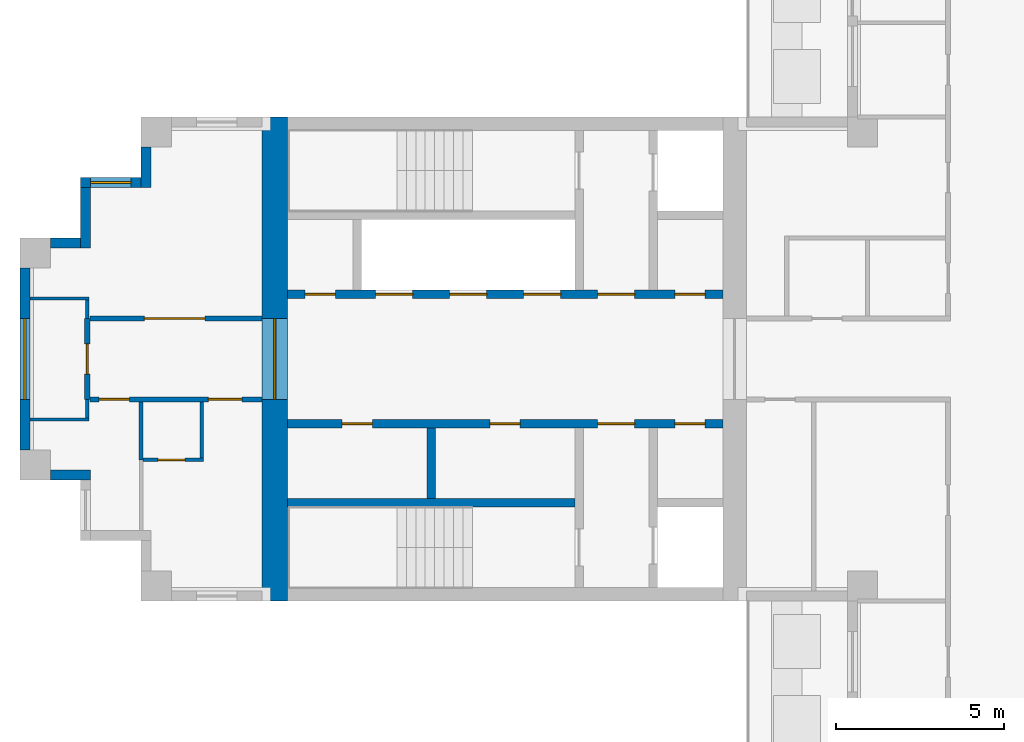
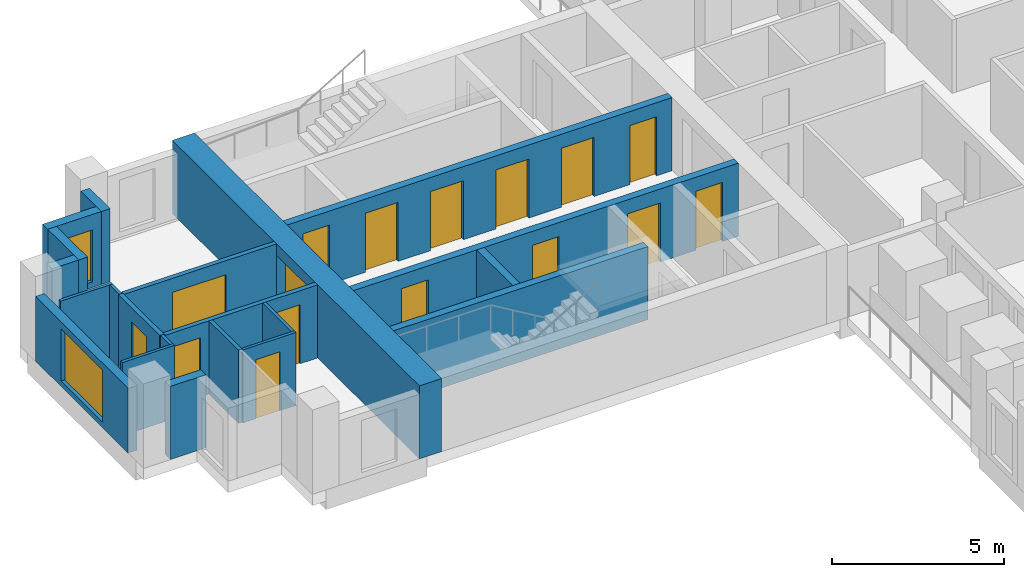
# One storey, part 3 of 10: 21 walls, 16 doors, 2 windows, 18 openings.
"""IFC4 building model written with IfcOpenShell, lengths in metres."""

from ifc_helpers import new_model, si_unit, direction, frame, frame_2d, origin, place, context, subcontext, project, spatial, rectangle, extrude, material, layer, layer_set, type_object, element, fill, save


model = new_model("IFC4")

# Units and contexts
model_context = context("Model", 3, precision=1e-05, world=origin(), true_north=direction((0.0, 1.0)))
body_context = subcontext(model_context, "Body", "Model", "MODEL_VIEW")
ifc_project = project(units=[si_unit("LENGTHUNIT", "METRE"), si_unit("AREAUNIT", "SQUARE_METRE"), si_unit("VOLUMEUNIT", "CUBIC_METRE"), si_unit("PLANEANGLEUNIT", "RADIAN"), si_unit("MASSUNIT", "GRAM", prefix="KILO")], contexts=[model_context])

# Site, building, storey
site_placement = place(None, origin())
site = spatial("IfcSite", under=ifc_project, at=site_placement, CompositionType="ELEMENT")
building_placement = place(site_placement, origin())
building = spatial("IfcBuilding", under=site, at=building_placement, Name="Fustian Cross Tower", CompositionType="ELEMENT")
storey_placement = place(building_placement, frame((0.0, 0.0, 225.89990234375)))
storey = spatial("IfcBuildingStorey", under=building, at=storey_placement, Name="L71", CompositionType="ELEMENT", Elevation=225.89990234375)

# Wall, opening, door
ifc_material_1 = material(Name="Plasterboard on steel stud", Category="steel")
ifc_layer_1 = layer(ifc_material_1, 0.14990234375)
ifc_layer_set_1 = layer_set([ifc_layer_1], Name="Plasterboard on steel stud")
wall_type_1 = type_object("IfcWallType", Name="COMPARTMENT WALL 150 EI 60", PredefinedType="PARTITIONING", material=ifc_layer_set_1)
wall_1_placement = place(storey_placement, frame((-26.800048828125, -1.199951171875, 0.0), z_axis=(0.0, 0.0, 1.0), x_axis=(0.0, 1.0, 0.0)))
wall_1 = element("IfcWall", 1, at=wall_1_placement, inside=storey, type_object=wall_type_1, Name="Partition 4", PredefinedType="PARTITIONING", context=body_context, shape_type="SweptSolid", body=[
    extrude(rectangle(XDim=2.39990234375, YDim=0.14990234375, at=frame_2d((1.199951171875, 0.0))), origin(), (0.0, 0.0, 1.0), 2.60009765625),
])
opening_1_placement = place(wall_1_placement, frame((0.75, 0.0, 0.0)))
opening_1 = element("IfcOpeningElement", 2, at=opening_1_placement, cuts=wall_1, Name="Opening D32024", PredefinedType="OPENING", context=body_context, shape_type="SweptSolid", body=[
    extrude(rectangle(XDim=0.89990234375, YDim=2.10009765625, at=frame_2d((0.449951171875, 1.050048828125))), frame((0.0, 0.0849609375, 0.0), z_axis=(0.0, -1.0, 0.0), x_axis=(1.0, 0.0, 0.0)), (0.0, 0.0, 1.0), 0.169921875),
])
ifc_material_2 = material(Name="Timber fire door set", Category="wood")
door_type_1 = type_object("IfcDoorType", Name="FIRE SWING DOOR 900 FD30S", OperationType="SINGLE_SWING_LEFT", PredefinedType="DOOR", material=ifc_material_2)
door_1_placement = place(opening_1_placement, origin())
door_1 = element("IfcDoor", 3, at=door_1_placement, inside=storey, type_object=door_type_1, Name="Door D32024", OperationType="SINGLE_SWING_LEFT", OverallHeight=2.10009765625, OverallWidth=0.89990234375, PredefinedType="DOOR", context=body_context, shape_type="SweptSolid", body=[
    extrude(rectangle(XDim=0.89990234375, YDim=2.10009765625, at=frame_2d((0.449951171875, 1.050048828125))), frame((0.0, 0.02490234375, 0.0), z_axis=(0.0, -1.0, 0.0), x_axis=(1.0, 0.0, 0.0)), (0.0, 0.0, 1.0), 0.050048828125),
])
fill(opening_1, door_1)

# Wall, openings, doors
wall_2_placement = place(storey_placement, frame((-26.72509765625, -1.199951171875, 0.0), z_axis=(0.0, 0.0, 1.0), x_axis=(1.0, 0.0, 0.0)))
wall_2 = element("IfcWall", 4, at=wall_2_placement, inside=storey, type_object=wall_type_1, Name="Partition 5", PredefinedType="PARTITIONING", context=body_context, shape_type="SweptSolid", body=[
    extrude(rectangle(XDim=5.125, YDim=0.14990234375, at=frame_2d((2.5625, 0.0))), origin(), (0.0, 0.0, 1.0), 2.60009765625),
])
opening_2_placement = place(wall_2_placement, frame((3.52490234375, 0.0, 0.0)))
opening_2 = element("IfcOpeningElement", 5, at=opening_2_placement, cuts=wall_2, Name="Opening D32026", PredefinedType="OPENING", context=body_context, shape_type="SweptSolid", body=[
    extrude(rectangle(XDim=1.0, YDim=2.10009765625, at=frame_2d((0.5, 1.050048828125))), frame((0.0, 0.0849609375, 0.0), z_axis=(0.0, -1.0, 0.0), x_axis=(1.0, 0.0, 0.0)), (0.0, 0.0, 1.0), 0.169921875),
])
opening_3_placement = place(wall_2_placement, frame((0.27490234375, 0.0, 0.0)))
opening_3 = element("IfcOpeningElement", 6, at=opening_3_placement, cuts=wall_2, Name="Opening D32027", PredefinedType="OPENING", context=body_context, shape_type="SweptSolid", body=[
    extrude(rectangle(XDim=0.89990234375, YDim=2.10009765625, at=frame_2d((0.449951171875, 1.050048828125))), frame((0.0, 0.0849609375, 0.0), z_axis=(0.0, -1.0, 0.0), x_axis=(1.0, 0.0, 0.0)), (0.0, 0.0, 1.0), 0.169921875),
])
ifc_material_3 = material(Name="Timber fire door set", Category="wood")
door_type_2 = type_object("IfcDoorType", Name="FIRE SWING DOOR 1000 FD30S", OperationType="SINGLE_SWING_LEFT", PredefinedType="DOOR", material=ifc_material_3)
door_2_placement = place(opening_2_placement, frame((1.0, 0.0, 0.0), z_axis=(0.0, 0.0, 1.0), x_axis=(-1.0, 0.0, 0.0)))
door_2 = element("IfcDoor", 7, at=door_2_placement, inside=storey, type_object=door_type_2, Name="Door D32026", OperationType="SINGLE_SWING_RIGHT", OverallHeight=2.10009765625, OverallWidth=1.0, PredefinedType="DOOR", context=body_context, shape_type="SweptSolid", body=[
    extrude(rectangle(XDim=1.0, YDim=2.10009765625, at=frame_2d((0.5, 1.050048828125))), frame((0.0, 0.02490234375, 0.0), z_axis=(0.0, -1.0, 0.0), x_axis=(1.0, 0.0, 0.0)), (0.0, 0.0, 1.0), 0.050048828125),
])
fill(opening_2, door_2)
door_3_placement = place(opening_3_placement, frame((0.89990234375, 0.0, 0.0), z_axis=(0.0, 0.0, 1.0), x_axis=(-1.0, 0.0, 0.0)))
door_3 = element("IfcDoor", 8, at=door_3_placement, inside=storey, type_object=door_type_1, Name="Door D32027", OperationType="SINGLE_SWING_RIGHT", OverallHeight=2.10009765625, OverallWidth=0.89990234375, PredefinedType="DOOR", context=body_context, shape_type="SweptSolid", body=[
    extrude(rectangle(XDim=0.89990234375, YDim=2.10009765625, at=frame_2d((0.449951171875, 1.050048828125))), frame((0.0, 0.02490234375, 0.0), z_axis=(0.0, -1.0, 0.0), x_axis=(1.0, 0.0, 0.0)), (0.0, 0.0, 1.0), 0.050048828125),
])
fill(opening_3, door_3)

# Wall, opening, door
wall_3_placement = place(storey_placement, frame((-26.72509765625, 1.199951171875, 0.0), z_axis=(0.0, 0.0, 1.0), x_axis=(1.0, 0.0, 0.0)))
wall_3 = element("IfcWall", 9, at=wall_3_placement, inside=storey, type_object=wall_type_1, Name="Partition 7", PredefinedType="PARTITIONING", context=body_context, shape_type="SweptSolid", body=[
    extrude(rectangle(XDim=5.125, YDim=0.14990234375, at=frame_2d((2.5625, 0.0))), origin(), (0.0, 0.0, 1.0), 2.60009765625),
])
opening_4_placement = place(wall_3_placement, frame((1.625, 0.0, 0.0)))
opening_4 = element("IfcOpeningElement", 10, at=opening_4_placement, cuts=wall_3, Name="Opening D32028", PredefinedType="OPENING", context=body_context, shape_type="SweptSolid", body=[
    extrude(rectangle(XDim=1.800048828125, YDim=2.10009765625, at=frame_2d((0.89990234375, 1.050048828125))), frame((0.0, 0.0849609375, 0.0), z_axis=(0.0, -1.0, 0.0), x_axis=(1.0, 0.0, 0.0)), (0.0, 0.0, 1.0), 0.169921875),
])
ifc_material_4 = material(Name="Timber fire door set", Category="wood")
door_type_3 = type_object("IfcDoorType", Name="FIRE DOUBLE DOOR 1800 FD30S", OperationType="DOUBLE_DOOR_DOUBLE_SWING", PredefinedType="DOOR", material=ifc_material_4)
door_4_placement = place(opening_4_placement, frame((1.800048828125, 0.0, 0.0), z_axis=(0.0, 0.0, 1.0), x_axis=(-1.0, 0.0, 0.0)))
door_4 = element("IfcDoor", 11, at=door_4_placement, inside=storey, type_object=door_type_3, Name="Door D32028", OperationType="DOUBLE_DOOR_DOUBLE_SWING", OverallHeight=2.10009765625, OverallWidth=1.800048828125, PredefinedType="DOOR", context=body_context, shape_type="SweptSolid", body=[
    extrude(rectangle(XDim=1.800048828125, YDim=2.10009765625, at=frame_2d((0.89990234375, 1.050048828125))), frame((0.0, 0.02490234375, 0.0), z_axis=(0.0, -1.0, 0.0), x_axis=(1.0, 0.0, 0.0)), (0.0, 0.0, 1.0), 0.050048828125),
])
fill(opening_4, door_4)

ifc_material_5 = material(Name="Concrete C50/60", Category="concrete")
ifc_layer_2 = layer(ifc_material_5, 0.75)
ifc_layer_set_2 = layer_set([ifc_layer_2], Name="Concrete C50/60")
wall_type_2 = type_object("IfcWallType", Name="CORE END WALL 750 C50/60", PredefinedType="SHEAR", material=ifc_layer_set_2)
wall_4_placement = place(storey_placement, frame((-21.22509765625, -7.199951171875, 0.0), z_axis=(0.0, 0.0, 1.0), x_axis=(0.0, 1.0, 0.0)))
wall_4 = element("IfcWall", 12, at=wall_4_placement, inside=storey, type_object=wall_type_2, Name="Core end wall", PredefinedType="SHEAR", context=body_context, shape_type="SweptSolid", body=[
    extrude(rectangle(XDim=14.39990234375, YDim=0.75, at=frame_2d((7.199951171875, 0.0))), origin(), (0.0, 0.0, 1.0), 2.60009765625),
])
opening_5_placement = place(wall_4_placement, frame((6.0, 0.0, 0.0)))
opening_5 = element("IfcOpeningElement", 13, at=opening_5_placement, cuts=wall_4, Name="Opening CD-27-29", PredefinedType="OPENING", context=body_context, shape_type="SweptSolid", body=[
    extrude(rectangle(XDim=2.39990234375, YDim=2.199951171875, at=frame_2d((1.199951171875, 1.10009765625))), frame((0.0, 0.385009765625, 0.0), z_axis=(0.0, -1.0, 0.0), x_axis=(1.0, 0.0, 0.0)), (0.0, 0.0, 1.0), 0.77001953125),
])
ifc_material_6 = material(Name="Steel", Category="steel")
door_type_4 = type_object("IfcDoorType", Name="FIRE DOOR FD30S DOUBLE 2400X2200", OperationType="DOUBLE_DOOR_DOUBLE_SWING", PredefinedType="DOOR", material=ifc_material_6)
door_5_placement = place(opening_5_placement, frame((2.39990234375, 0.0, 0.0), z_axis=(0.0, 0.0, 1.0), x_axis=(-1.0, 0.0, 0.0)))
door_5 = element("IfcDoor", 14, at=door_5_placement, inside=storey, type_object=door_type_4, Name="Core door CD-27-29", OperationType="DOUBLE_DOOR_DOUBLE_SWING", OverallHeight=2.199951171875, OverallWidth=2.39990234375, PredefinedType="DOOR", context=body_context, shape_type="SweptSolid", body=[
    extrude(rectangle(XDim=2.39990234375, YDim=2.199951171875, at=frame_2d((1.199951171875, 1.10009765625))), frame((0.0, 0.02490234375, 0.0), z_axis=(0.0, -1.0, 0.0), x_axis=(1.0, 0.0, 0.0)), (0.0, 0.0, 1.0), 0.050048828125),
])
fill(opening_5, door_5)

# Wall, openings, doors
ifc_material_7 = material(Name="Concrete C50/60", Category="concrete")
ifc_layer_3 = layer(ifc_material_7, 0.25)
ifc_layer_set_3 = layer_set([ifc_layer_3], Name="Concrete C50/60")
wall_type_3 = type_object("IfcWallType", Name="CORE LOBBY WALL 250 C50/60", PredefinedType="SHEAR", material=ifc_layer_set_3)
wall_5_placement = place(storey_placement, frame((-7.89990234375, 1.925048828125, 0.0), z_axis=(0.0, 0.0, 1.0), x_axis=(-1.0, 0.0, 0.0)))
wall_5 = element("IfcWall", 15, at=wall_5_placement, inside=storey, type_object=wall_type_3, Name="Core lobby wall", PredefinedType="SHEAR", context=body_context, shape_type="SweptSolid", body=[
    extrude(rectangle(XDim=12.9501953125, YDim=0.25, at=frame_2d((6.47509765625, 0.0))), origin(), (0.0, 0.0, 1.0), 2.60009765625),
])
opening_6_placement = place(wall_5_placement, frame((4.824951171875, 0.0, 0.0)))
opening_6 = element("IfcOpeningElement", 16, at=opening_6_placement, cuts=wall_5, Name="Opening LD", PredefinedType="OPENING", context=body_context, shape_type="SweptSolid", body=[
    extrude(rectangle(XDim=1.10009765625, YDim=2.10009765625, at=frame_2d((0.550048828125, 1.050048828125))), frame((0.0, 0.135009765625, 0.0), z_axis=(0.0, -1.0, 0.0), x_axis=(1.0, 0.0, 0.0)), (0.0, 0.0, 1.0), 0.27001953125),
])
opening_7_placement = place(wall_5_placement, frame((7.02490234375, 0.0, 0.0)))
opening_7 = element("IfcOpeningElement", 17, at=opening_7_placement, cuts=wall_5, Name="Opening LD", PredefinedType="OPENING", context=body_context, shape_type="SweptSolid", body=[
    extrude(rectangle(XDim=1.10009765625, YDim=2.10009765625, at=frame_2d((0.550048828125, 1.050048828125))), frame((0.0, 0.135009765625, 0.0), z_axis=(0.0, -1.0, 0.0), x_axis=(1.0, 0.0, 0.0)), (0.0, 0.0, 1.0), 0.27001953125),
])
opening_8_placement = place(wall_5_placement, frame((9.22509765625, 0.0, 0.0)))
opening_8 = element("IfcOpeningElement", 18, at=opening_8_placement, cuts=wall_5, Name="Opening LD", PredefinedType="OPENING", context=body_context, shape_type="SweptSolid", body=[
    extrude(rectangle(XDim=1.10009765625, YDim=2.10009765625, at=frame_2d((0.550048828125, 1.050048828125))), frame((0.0, 0.135009765625, 0.0), z_axis=(0.0, -1.0, 0.0), x_axis=(1.0, 0.0, 0.0)), (0.0, 0.0, 1.0), 0.27001953125),
])
opening_9_placement = place(wall_5_placement, frame((0.52490234375, 0.0, 0.0)))
opening_9 = element("IfcOpeningElement", 19, at=opening_9_placement, cuts=wall_5, Name="Opening CD-27-24", PredefinedType="OPENING", context=body_context, shape_type="SweptSolid", body=[
    extrude(rectangle(XDim=0.89990234375, YDim=2.10009765625, at=frame_2d((0.449951171875, 1.050048828125))), frame((0.0, 0.135009765625, 0.0), z_axis=(0.0, -1.0, 0.0), x_axis=(1.0, 0.0, 0.0)), (0.0, 0.0, 1.0), 0.27001953125),
])
opening_10_placement = place(wall_5_placement, frame((2.625, 0.0, 0.0)))
opening_10 = element("IfcOpeningElement", 20, at=opening_10_placement, cuts=wall_5, Name="Opening CD-27-26", PredefinedType="OPENING", context=body_context, shape_type="SweptSolid", body=[
    extrude(rectangle(XDim=1.10009765625, YDim=2.10009765625, at=frame_2d((0.550048828125, 1.050048828125))), frame((0.0, 0.135009765625, 0.0), z_axis=(0.0, -1.0, 0.0), x_axis=(1.0, 0.0, 0.0)), (0.0, 0.0, 1.0), 0.27001953125),
])
opening_11_placement = place(wall_5_placement, frame((11.52490234375, 0.0, 0.0)))
opening_11 = element("IfcOpeningElement", 21, at=opening_11_placement, cuts=wall_5, Name="Opening CD-27-30", PredefinedType="OPENING", context=body_context, shape_type="SweptSolid", body=[
    extrude(rectangle(XDim=0.89990234375, YDim=2.10009765625, at=frame_2d((0.449951171875, 1.050048828125))), frame((0.0, 0.135009765625, 0.0), z_axis=(0.0, -1.0, 0.0), x_axis=(1.0, 0.0, 0.0)), (0.0, 0.0, 1.0), 0.27001953125),
])
ifc_material_8 = material(Name="Steel", Category="steel")
door_type_5 = type_object("IfcDoorType", Name="FIRE DOOR FD30S 900X2100", OperationType="SINGLE_SWING_LEFT", PredefinedType="DOOR", material=ifc_material_8)
door_6_placement = place(opening_11_placement, frame((0.89990234375, 0.0, 0.0), z_axis=(0.0, 0.0, 1.0), x_axis=(-1.0, 0.0, 0.0)))
door_6 = element("IfcDoor", 22, at=door_6_placement, inside=storey, type_object=door_type_5, Name="Core door CD-27-30", OperationType="SINGLE_SWING_RIGHT", OverallHeight=2.10009765625, OverallWidth=0.89990234375, PredefinedType="DOOR", context=body_context, shape_type="SweptSolid", body=[
    extrude(rectangle(XDim=0.89990234375, YDim=2.10009765625, at=frame_2d((0.449951171875, 1.050048828125))), frame((0.0, 0.02490234375, 0.0), z_axis=(0.0, -1.0, 0.0), x_axis=(1.0, 0.0, 0.0)), (0.0, 0.0, 1.0), 0.050048828125),
])
fill(opening_11, door_6)
ifc_material_9 = material(Name="Steel", Category="steel")
door_type_6 = type_object("IfcDoorType", Name="FIRE DOOR FD60S 1100X2100", OperationType="SINGLE_SWING_LEFT", PredefinedType="DOOR", material=ifc_material_9)
door_7_placement = place(opening_10_placement, frame((1.10009765625, 0.0, 0.0), z_axis=(0.0, 0.0, 1.0), x_axis=(-1.0, 0.0, 0.0)))
door_7 = element("IfcDoor", 23, at=door_7_placement, inside=storey, type_object=door_type_6, Name="Core door CD-27-26", OperationType="SINGLE_SWING_RIGHT", OverallHeight=2.10009765625, OverallWidth=1.10009765625, PredefinedType="DOOR", context=body_context, shape_type="SweptSolid", body=[
    extrude(rectangle(XDim=1.10009765625, YDim=2.10009765625, at=frame_2d((0.550048828125, 1.050048828125))), frame((0.0, 0.02490234375, 0.0), z_axis=(0.0, -1.0, 0.0), x_axis=(1.0, 0.0, 0.0)), (0.0, 0.0, 1.0), 0.050048828125),
])
fill(opening_10, door_7)
ifc_material_10 = material(Name="Steel", Category="steel")
door_type_7 = type_object("IfcDoorType", Name="FIRE DOOR FD60S 900X2100", OperationType="SINGLE_SWING_LEFT", PredefinedType="DOOR", material=ifc_material_10)
door_8_placement = place(opening_9_placement, frame((0.89990234375, 0.0, 0.0), z_axis=(0.0, 0.0, 1.0), x_axis=(-1.0, 0.0, 0.0)))
door_8 = element("IfcDoor", 24, at=door_8_placement, inside=storey, type_object=door_type_7, Name="Core door CD-27-24", OperationType="SINGLE_SWING_RIGHT", OverallHeight=2.10009765625, OverallWidth=0.89990234375, PredefinedType="DOOR", context=body_context, shape_type="SweptSolid", body=[
    extrude(rectangle(XDim=0.89990234375, YDim=2.10009765625, at=frame_2d((0.449951171875, 1.050048828125))), frame((0.0, 0.02490234375, 0.0), z_axis=(0.0, -1.0, 0.0), x_axis=(1.0, 0.0, 0.0)), (0.0, 0.0, 1.0), 0.050048828125),
])
fill(opening_9, door_8)
ifc_material_11 = material(Name="Stainless steel", Category="steel")
door_type_8 = type_object("IfcDoorType", Name="LIFT LANDING DOOR 1100X2100", OperationType="SLIDING_TO_LEFT", PredefinedType="DOOR", material=ifc_material_11)
door_9_placement = place(opening_6_placement, origin())
door_9 = element("IfcDoor", 25, at=door_9_placement, inside=storey, type_object=door_type_8, Name="Landing door HR1W", OperationType="SLIDING_TO_LEFT", OverallHeight=2.10009765625, OverallWidth=1.10009765625, PredefinedType="DOOR", context=body_context, shape_type="SweptSolid", body=[
    extrude(rectangle(XDim=1.10009765625, YDim=2.10009765625, at=frame_2d((0.550048828125, 1.050048828125))), frame((0.0, 0.02490234375, 0.0), z_axis=(0.0, -1.0, 0.0), x_axis=(1.0, 0.0, 0.0)), (0.0, 0.0, 1.0), 0.050048828125),
])
fill(opening_6, door_9)
door_10_placement = place(opening_7_placement, origin())
door_10 = element("IfcDoor", 26, at=door_10_placement, inside=storey, type_object=door_type_8, Name="Landing door HR2W", OperationType="SLIDING_TO_LEFT", OverallHeight=2.10009765625, OverallWidth=1.10009765625, PredefinedType="DOOR", context=body_context, shape_type="SweptSolid", body=[
    extrude(rectangle(XDim=1.10009765625, YDim=2.10009765625, at=frame_2d((0.550048828125, 1.050048828125))), frame((0.0, 0.02490234375, 0.0), z_axis=(0.0, -1.0, 0.0), x_axis=(1.0, 0.0, 0.0)), (0.0, 0.0, 1.0), 0.050048828125),
])
fill(opening_7, door_10)
door_11_placement = place(opening_8_placement, origin())
door_11 = element("IfcDoor", 27, at=door_11_placement, inside=storey, type_object=door_type_8, Name="Landing door HR3W", OperationType="SLIDING_TO_LEFT", OverallHeight=2.10009765625, OverallWidth=1.10009765625, PredefinedType="DOOR", context=body_context, shape_type="SweptSolid", body=[
    extrude(rectangle(XDim=1.10009765625, YDim=2.10009765625, at=frame_2d((0.550048828125, 1.050048828125))), frame((0.0, 0.02490234375, 0.0), z_axis=(0.0, -1.0, 0.0), x_axis=(1.0, 0.0, 0.0)), (0.0, 0.0, 1.0), 0.050048828125),
])
fill(opening_8, door_11)

wall_6_placement = place(storey_placement, frame((-7.89990234375, -1.925048828125, 0.0), z_axis=(0.0, 0.0, 1.0), x_axis=(-1.0, 0.0, 0.0)))
wall_6 = element("IfcWall", 28, at=wall_6_placement, inside=storey, type_object=wall_type_3, Name="Core lobby wall", PredefinedType="SHEAR", context=body_context, shape_type="SweptSolid", body=[
    extrude(rectangle(XDim=12.9501953125, YDim=0.25, at=frame_2d((6.47509765625, 0.0))), origin(), (0.0, 0.0, 1.0), 2.60009765625),
])
opening_12_placement = place(wall_6_placement, frame((0.52490234375, 0.0, 0.0)))
opening_12 = element("IfcOpeningElement", 29, at=opening_12_placement, cuts=wall_6, Name="Opening CD-27-25", PredefinedType="OPENING", context=body_context, shape_type="SweptSolid", body=[
    extrude(rectangle(XDim=0.89990234375, YDim=2.10009765625, at=frame_2d((0.449951171875, 1.050048828125))), frame((0.0, 0.135009765625, 0.0), z_axis=(0.0, -1.0, 0.0), x_axis=(1.0, 0.0, 0.0)), (0.0, 0.0, 1.0), 0.27001953125),
])
opening_13_placement = place(wall_6_placement, frame((2.625, 0.0, 0.0)))
opening_13 = element("IfcOpeningElement", 30, at=opening_13_placement, cuts=wall_6, Name="Opening CD-27-27", PredefinedType="OPENING", context=body_context, shape_type="SweptSolid", body=[
    extrude(rectangle(XDim=1.10009765625, YDim=2.10009765625, at=frame_2d((0.550048828125, 1.050048828125))), frame((0.0, 0.135009765625, 0.0), z_axis=(0.0, -1.0, 0.0), x_axis=(1.0, 0.0, 0.0)), (0.0, 0.0, 1.0), 0.27001953125),
])
opening_14_placement = place(wall_6_placement, frame((6.02490234375, 0.0, 0.0)))
opening_14 = element("IfcOpeningElement", 31, at=opening_14_placement, cuts=wall_6, Name="Opening CD-27-31", PredefinedType="OPENING", context=body_context, shape_type="SweptSolid", body=[
    extrude(rectangle(XDim=0.89990234375, YDim=2.10009765625, at=frame_2d((0.449951171875, 1.050048828125))), frame((0.0, 0.135009765625, 0.0), z_axis=(0.0, -1.0, 0.0), x_axis=(1.0, 0.0, 0.0)), (0.0, 0.0, 1.0), 0.27001953125),
])
opening_15_placement = place(wall_6_placement, frame((10.425048828125, 0.0, 0.0)))
opening_15 = element("IfcOpeningElement", 32, at=opening_15_placement, cuts=wall_6, Name="Opening CD-27-32", PredefinedType="OPENING", context=body_context, shape_type="SweptSolid", body=[
    extrude(rectangle(XDim=0.89990234375, YDim=2.10009765625, at=frame_2d((0.449951171875, 1.050048828125))), frame((0.0, 0.135009765625, 0.0), z_axis=(0.0, -1.0, 0.0), x_axis=(1.0, 0.0, 0.0)), (0.0, 0.0, 1.0), 0.27001953125),
])
ifc_material_12 = material(Name="Steel", Category="steel")
door_type_9 = type_object("IfcDoorType", Name="FIRE DOOR FD30S 1100X2100", OperationType="SINGLE_SWING_LEFT", PredefinedType="DOOR", material=ifc_material_12)
door_12_placement = place(opening_13_placement, frame((1.10009765625, 0.0, 0.0), z_axis=(0.0, 0.0, 1.0), x_axis=(-1.0, 0.0, 0.0)))
door_12 = element("IfcDoor", 33, at=door_12_placement, inside=storey, type_object=door_type_9, Name="Core door CD-27-27", OperationType="SINGLE_SWING_RIGHT", OverallHeight=2.10009765625, OverallWidth=1.10009765625, PredefinedType="DOOR", context=body_context, shape_type="SweptSolid", body=[
    extrude(rectangle(XDim=1.10009765625, YDim=2.10009765625, at=frame_2d((0.550048828125, 1.050048828125))), frame((0.0, 0.02490234375, 0.0), z_axis=(0.0, -1.0, 0.0), x_axis=(1.0, 0.0, 0.0)), (0.0, 0.0, 1.0), 0.050048828125),
])
fill(opening_13, door_12)
door_13_placement = place(opening_12_placement, origin())
door_13 = element("IfcDoor", 34, at=door_13_placement, inside=storey, type_object=door_type_5, Name="Core door CD-27-25", OperationType="SINGLE_SWING_LEFT", OverallHeight=2.10009765625, OverallWidth=0.89990234375, PredefinedType="DOOR", context=body_context, shape_type="SweptSolid", body=[
    extrude(rectangle(XDim=0.89990234375, YDim=2.10009765625, at=frame_2d((0.449951171875, 1.050048828125))), frame((0.0, 0.02490234375, 0.0), z_axis=(0.0, -1.0, 0.0), x_axis=(1.0, 0.0, 0.0)), (0.0, 0.0, 1.0), 0.050048828125),
])
fill(opening_12, door_13)
door_14_placement = place(opening_14_placement, origin())
door_14 = element("IfcDoor", 35, at=door_14_placement, inside=storey, type_object=door_type_5, Name="Core door CD-27-31", OperationType="SINGLE_SWING_RIGHT", OverallHeight=2.10009765625, OverallWidth=0.89990234375, PredefinedType="DOOR", context=body_context, shape_type="SweptSolid", body=[
    extrude(rectangle(XDim=0.89990234375, YDim=2.10009765625, at=frame_2d((0.449951171875, 1.050048828125))), frame((0.0, 0.02490234375, 0.0), z_axis=(0.0, -1.0, 0.0), x_axis=(1.0, 0.0, 0.0)), (0.0, 0.0, 1.0), 0.050048828125),
])
fill(opening_14, door_14)
door_15_placement = place(opening_15_placement, origin())
door_15 = element("IfcDoor", 36, at=door_15_placement, inside=storey, type_object=door_type_5, Name="Core door CD-27-32", OperationType="SINGLE_SWING_RIGHT", OverallHeight=2.10009765625, OverallWidth=0.89990234375, PredefinedType="DOOR", context=body_context, shape_type="SweptSolid", body=[
    extrude(rectangle(XDim=0.89990234375, YDim=2.10009765625, at=frame_2d((0.449951171875, 1.050048828125))), frame((0.0, 0.02490234375, 0.0), z_axis=(0.0, -1.0, 0.0), x_axis=(1.0, 0.0, 0.0)), (0.0, 0.0, 1.0), 0.050048828125),
])
fill(opening_15, door_15)

# Walls
ifc_material_13 = material(Name="Concrete C50/60", Category="concrete")
ifc_layer_4 = layer(ifc_material_13, 0.25)
ifc_layer_set_4 = layer_set([ifc_layer_4], Name="Concrete C50/60")
wall_type_4 = type_object("IfcWallType", Name="CORE SHAFT WALL 250 C50/60", PredefinedType="SHEAR", material=ifc_layer_set_4)
wall_7_placement = place(storey_placement, frame((-12.300048828125, -4.27490234375, 0.0), z_axis=(0.0, 0.0, 1.0), x_axis=(-1.0, 0.0, 0.0)))
element("IfcWall", 37, at=wall_7_placement, inside=storey, type_object=wall_type_4, Name="Core shaft wall", PredefinedType="SHEAR", context=body_context, shape_type="SweptSolid", body=[
    extrude(rectangle(XDim=8.550048828125, YDim=0.25, at=frame_2d((4.27490234375, 0.0))), origin(), (0.0, 0.0, 1.0), 2.60009765625),
])
ifc_material_14 = material(Name="Plasterboard on steel stud", Category="steel")
ifc_layer_5 = layer(ifc_material_14, 0.10009765625)
ifc_layer_set_5 = layer_set([ifc_layer_5], Name="Plasterboard on steel stud")
wall_type_5 = type_object("IfcWallType", Name="PARTITION 100 STUD", PredefinedType="PARTITIONING", material=ifc_layer_set_5)
for number, where, z_axis, x_axis, name in (
    (38, (-28.5, -1.800048828125, 0.0), (0.0, 0.0, 1.0), (1.0, 0.0, 0.0), "Partition 1"),
    (39, (-28.5, 1.800048828125, 0.0), (0.0, 0.0, 1.0), (1.0, 0.0, 0.0), "Partition 2"),
):
    element("IfcWall", number, at=place(storey_placement, frame(where, z_axis=z_axis, x_axis=x_axis)), inside=storey, type_object=wall_type_5, Name=name, PredefinedType="PARTITIONING", context=body_context, shape_type="SweptSolid", body=[
        extrude(rectangle(XDim=1.75, YDim=0.10009765625, at=frame_2d((0.875, 0.0))), origin(), (0.0, 0.0, 1.0), 2.60009765625),
    ])
for number, where, z_axis, x_axis, name in (
    (40, (-26.800048828125, -1.75, 0.0), (0.0, 0.0, 1.0), (0.0, 1.0, 0.0), "Partition 3"),
    (41, (-26.800048828125, 1.199951171875, 0.0), (0.0, 0.0, 1.0), (0.0, 1.0, 0.0), "Partition 6"),
):
    element("IfcWall", number, at=place(storey_placement, frame(where, z_axis=z_axis, x_axis=x_axis)), inside=storey, type_object=wall_type_5, Name=name, PredefinedType="PARTITIONING", context=body_context, shape_type="SweptSolid", body=[
        extrude(rectangle(XDim=0.550048828125, YDim=0.10009765625, at=frame_2d((0.27490234375, 0.0))), origin(), (0.0, 0.0, 1.0), 2.60009765625),
    ])

# Wall, opening, door
wall_8_placement = place(storey_placement, frame((-25.137451171875, -3.0, 0.0), z_axis=(0.0, 0.0, 1.0), x_axis=(1.0, 0.0, 0.0)))
wall_8 = element("IfcWall", 42, at=wall_8_placement, inside=storey, type_object=wall_type_5, Name="Partition 10", PredefinedType="PARTITIONING", context=body_context, shape_type="SweptSolid", body=[
    extrude(rectangle(XDim=1.787353515625, YDim=0.10009765625, at=frame_2d((0.8935546875, 0.0))), origin(), (0.0, 0.0, 1.0), 2.60009765625),
])
opening_16_placement = place(wall_8_placement, frame((0.4375, 0.0, 0.0)))
opening_16 = element("IfcOpeningElement", 43, at=opening_16_placement, cuts=wall_8, Name="Opening D32025", PredefinedType="OPENING", context=body_context, shape_type="SweptSolid", body=[
    extrude(rectangle(XDim=0.800048828125, YDim=2.10009765625, at=frame_2d((0.39990234375, 1.050048828125))), frame((0.0, 0.06005859375, 0.0), z_axis=(0.0, -1.0, 0.0), x_axis=(1.0, 0.0, 0.0)), (0.0, 0.0, 1.0), 0.1201171875),
])
ifc_material_15 = material(Name="Painted timber", Category="wood")
door_type_10 = type_object("IfcDoorType", Name="SWING DOOR 800", OperationType="SINGLE_SWING_LEFT", PredefinedType="DOOR", material=ifc_material_15)
door_16_placement = place(opening_16_placement, origin())
door_16 = element("IfcDoor", 44, at=door_16_placement, inside=storey, type_object=door_type_10, Name="Door D32025", OperationType="SINGLE_SWING_RIGHT", OverallHeight=2.10009765625, OverallWidth=0.800048828125, PredefinedType="DOOR", context=body_context, shape_type="SweptSolid", body=[
    extrude(rectangle(XDim=0.800048828125, YDim=2.10009765625, at=frame_2d((0.39990234375, 1.050048828125))), frame((0.0, 0.02490234375, 0.0), z_axis=(0.0, -1.0, 0.0), x_axis=(1.0, 0.0, 0.0)), (0.0, 0.0, 1.0), 0.050048828125),
])
fill(opening_16, door_16)

# Walls
wall_9_placement = place(storey_placement, frame((-23.39990234375, -2.949951171875, 0.0), z_axis=(0.0, 0.0, 1.0), x_axis=(0.0, 1.0, 0.0)))
element("IfcWall", 45, at=wall_9_placement, inside=storey, type_object=wall_type_5, Name="Partition 11", PredefinedType="PARTITIONING", context=body_context, shape_type="SweptSolid", body=[
    extrude(rectangle(XDim=1.675048828125, YDim=0.10009765625, at=frame_2d((0.83740234375, 0.0))), origin(), (0.0, 0.0, 1.0), 2.60009765625),
])
ifc_material_16 = material(Name="Concrete C40/50", Category="concrete")
ifc_layer_6 = layer(ifc_material_16, 0.25)
ifc_layer_set_6 = layer_set([ifc_layer_6], Name="Concrete C40/50")
wall_type_6 = type_object("IfcWallType", Name="SHAFT PARTITION WALL 250 C40/50", PredefinedType="PARTITIONING", material=ifc_layer_set_6)
wall_10_placement = place(storey_placement, frame((-16.574951171875, -2.050048828125, 0.0), z_axis=(0.0, 0.0, 1.0), x_axis=(0.0, -1.0, 0.0)))
element("IfcWall", 46, at=wall_10_placement, inside=storey, type_object=wall_type_6, Name="Core shaft wall", PredefinedType="PARTITIONING", context=body_context, shape_type="SweptSolid", body=[
    extrude(rectangle(XDim=2.099853515625, YDim=0.25, at=frame_2d((1.0498046875, 0.0))), origin(), (0.0, 0.0, 1.0), 2.60009765625),
])
ifc_material_17 = material(Name="Plasterboard on steel stud", Category="steel")
ifc_layer_7 = layer(ifc_material_17, 0.125)
ifc_layer_set_7 = layer_set([ifc_layer_7], Name="Plasterboard on steel stud")
wall_type_7 = type_object("IfcWallType", Name="WET WALL 125 STUD", PredefinedType="PARTITIONING", material=ifc_layer_set_7)
wall_11_placement = place(storey_placement, frame((-25.199951171875, -3.0, 0.0), z_axis=(0.0, 0.0, 1.0), x_axis=(0.0, 1.0, 0.0)))
element("IfcWall", 47, at=wall_11_placement, inside=storey, type_object=wall_type_7, Name="Partition 9", PredefinedType="PARTITIONING", context=body_context, shape_type="SweptSolid", body=[
    extrude(rectangle(XDim=1.72509765625, YDim=0.125, at=frame_2d((0.862548828125, 0.0))), origin(), (0.0, 0.0, 1.0), 2.60009765625),
])
ifc_material_18 = material(Name="Dark aluminium cladding on insulated backing wall", Category="aluminium")
ifc_layer_8 = layer(ifc_material_18, 0.300048828125)
ifc_layer_set_8 = layer_set([ifc_layer_8], Name="Dark aluminium cladding on insulated backing wall")
wall_type_8 = type_object("IfcWallType", Name="XW1 EXTERNAL WALL 300", PredefinedType="SOLIDWALL", material=ifc_layer_set_8)
wall_12_placement = place(storey_placement, frame((-25.050048828125, 6.300048828125, 0.0), z_axis=(0.0, 0.0, 1.0), x_axis=(0.0, -1.0, 0.0)))
element("IfcWall", 48, at=wall_12_placement, inside=storey, type_object=wall_type_8, Name="External wall", PredefinedType="SOLIDWALL", context=body_context, shape_type="SweptSolid", body=[
    extrude(rectangle(XDim=1.199951171875, YDim=0.300048828125, at=frame_2d((0.60009765625, 0.0))), origin(), (0.0, 0.0, 1.0), 2.60009765625),
])

# Wall, opening, window
wall_13_placement = place(storey_placement, frame((-25.199951171875, 5.25, 0.0), z_axis=(0.0, 0.0, 1.0), x_axis=(-1.0, 0.0, 0.0)))
wall_13 = element("IfcWall", 49, at=wall_13_placement, inside=storey, type_object=wall_type_8, Name="External wall", PredefinedType="SOLIDWALL", context=body_context, shape_type="SweptSolid", body=[
    extrude(rectangle(XDim=1.800048828125, YDim=0.300048828125, at=frame_2d((0.89990234375, 0.0))), origin(), (0.0, 0.0, 1.0), 2.60009765625),
])
opening_17_placement = place(wall_13_placement, frame((0.300048828125, 0.0, 0.199951171875)))
opening_17 = element("IfcOpeningElement", 50, at=opening_17_placement, cuts=wall_13, Name="Opening WN3", PredefinedType="OPENING", context=body_context, shape_type="SweptSolid", body=[
    extrude(rectangle(XDim=1.199951171875, YDim=1.85009765625, at=frame_2d((0.60009765625, 0.925048828125))), frame((0.0, 0.159912109375, 0.0), z_axis=(0.0, -1.0, 0.0), x_axis=(1.0, 0.0, 0.0)), (0.0, 0.0, 1.0), 0.320068359375),
])
ifc_material_19 = material(Name="Dark anodised aluminium and double glazing", Category="aluminium")
window_type_1 = type_object("IfcWindowType", Name="WN3 WINDOW 1200X1850", PartitioningType="SINGLE_PANEL", PredefinedType="WINDOW", material=ifc_material_19)
window_1_placement = place(opening_17_placement, origin())
window_1 = element("IfcWindow", 51, at=window_1_placement, inside=storey, type_object=window_type_1, Name="Window", OverallHeight=1.85009765625, OverallWidth=1.199951171875, PartitioningType="SINGLE_PANEL", PredefinedType="WINDOW", context=body_context, shape_type="SweptSolid", body=[
    extrude(rectangle(XDim=1.199951171875, YDim=1.85009765625, at=frame_2d((0.60009765625, 0.925048828125))), frame((0.0, 0.030029296875, 0.0), z_axis=(0.0, -1.0, 0.0), x_axis=(1.0, 0.0, 0.0)), (0.0, 0.0, 1.0), 0.06005859375),
])
fill(opening_17, window_1)

# Walls
wall_14_placement = place(storey_placement, frame((-26.85009765625, 5.10009765625, 0.0), z_axis=(0.0, 0.0, 1.0), x_axis=(0.0, -1.0, 0.0)))
element("IfcWall", 52, at=wall_14_placement, inside=storey, type_object=wall_type_8, Name="External wall", PredefinedType="SOLIDWALL", context=body_context, shape_type="SweptSolid", body=[
    extrude(rectangle(XDim=1.800048828125, YDim=0.300048828125, at=frame_2d((0.89990234375, 0.0))), origin(), (0.0, 0.0, 1.0), 2.60009765625),
])
wall_15_placement = place(storey_placement, frame((-27.0, 3.449951171875, 0.0), z_axis=(0.0, 0.0, 1.0), x_axis=(-1.0, 0.0, 0.0)))
element("IfcWall", 53, at=wall_15_placement, inside=storey, type_object=wall_type_8, Name="External wall", PredefinedType="SOLIDWALL", context=body_context, shape_type="SweptSolid", body=[
    extrude(rectangle(XDim=0.89990234375, YDim=0.300048828125, at=frame_2d((0.449951171875, 0.0))), origin(), (0.0, 0.0, 1.0), 2.60009765625),
])

# Wall, opening, window
wall_16_placement = place(storey_placement, frame((-28.64990234375, 2.699951171875, 0.0), z_axis=(0.0, 0.0, 1.0), x_axis=(0.0, -1.0, 0.0)))
wall_16 = element("IfcWall", 54, at=wall_16_placement, inside=storey, type_object=wall_type_8, Name="External wall", PredefinedType="SOLIDWALL", context=body_context, shape_type="SweptSolid", body=[
    extrude(rectangle(XDim=5.39990234375, YDim=0.300048828125, at=frame_2d((2.699951171875, 0.0))), origin(), (0.0, 0.0, 1.0), 2.300048828125),
])
opening_18_placement = place(wall_16_placement, frame((1.5, 0.0, 0.199951171875)))
opening_18 = element("IfcOpeningElement", 55, at=opening_18_placement, cuts=wall_16, Name="Opening WN1", PredefinedType="OPENING", context=body_context, shape_type="SweptSolid", body=[
    extrude(rectangle(XDim=2.39990234375, YDim=1.85009765625, at=frame_2d((1.199951171875, 0.925048828125))), frame((0.0, 0.159912109375, 0.0), z_axis=(0.0, -1.0, 0.0), x_axis=(1.0, 0.0, 0.0)), (0.0, 0.0, 1.0), 0.320068359375),
])
ifc_material_20 = material(Name="Dark anodised aluminium and double glazing", Category="aluminium")
window_type_2 = type_object("IfcWindowType", Name="WN1 WINDOW 2400X1850", PartitioningType="SINGLE_PANEL", PredefinedType="WINDOW", material=ifc_material_20)
window_2_placement = place(opening_18_placement, origin())
window_2 = element("IfcWindow", 56, at=window_2_placement, inside=storey, type_object=window_type_2, Name="Window", OverallHeight=1.85009765625, OverallWidth=2.39990234375, PartitioningType="SINGLE_PANEL", PredefinedType="WINDOW", context=body_context, shape_type="SweptSolid", body=[
    extrude(rectangle(XDim=2.39990234375, YDim=1.85009765625, at=frame_2d((1.199951171875, 0.925048828125))), frame((0.0, 0.030029296875, 0.0), z_axis=(0.0, -1.0, 0.0), x_axis=(1.0, 0.0, 0.0)), (0.0, 0.0, 1.0), 0.06005859375),
])
fill(opening_18, window_2)

# Wall
wall_17_placement = place(storey_placement, frame((-27.89990234375, -3.449951171875, 0.0), z_axis=(0.0, 0.0, 1.0), x_axis=(1.0, 0.0, 0.0)))
element("IfcWall", 57, at=wall_17_placement, inside=storey, type_object=wall_type_8, Name="External wall", PredefinedType="SOLIDWALL", context=body_context, shape_type="SweptSolid", body=[
    extrude(rectangle(XDim=1.199951171875, YDim=0.300048828125, at=frame_2d((0.60009765625, 0.0))), origin(), (0.0, 0.0, 1.0), 2.60009765625),
])

save(model, "model.ifc")
